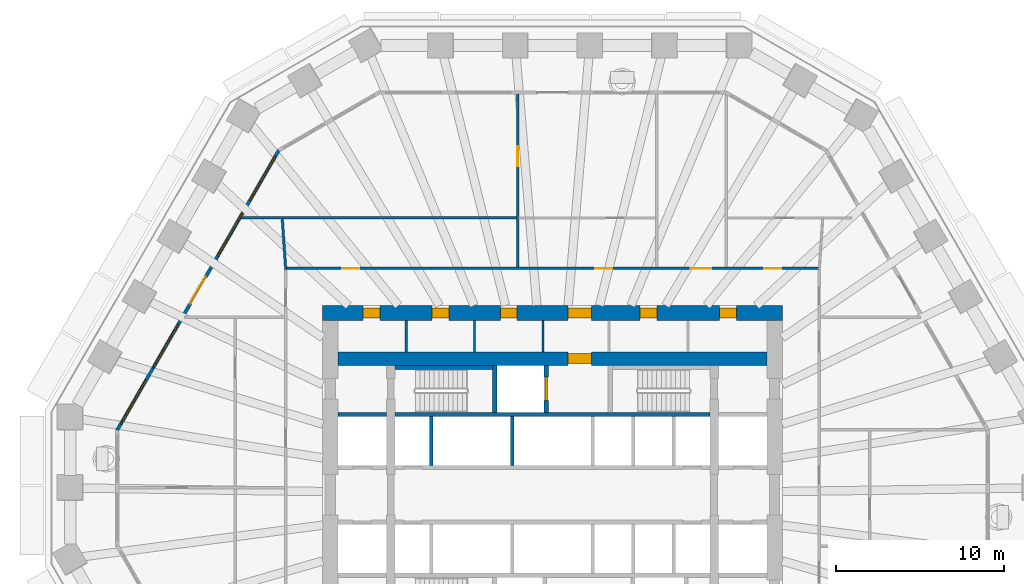
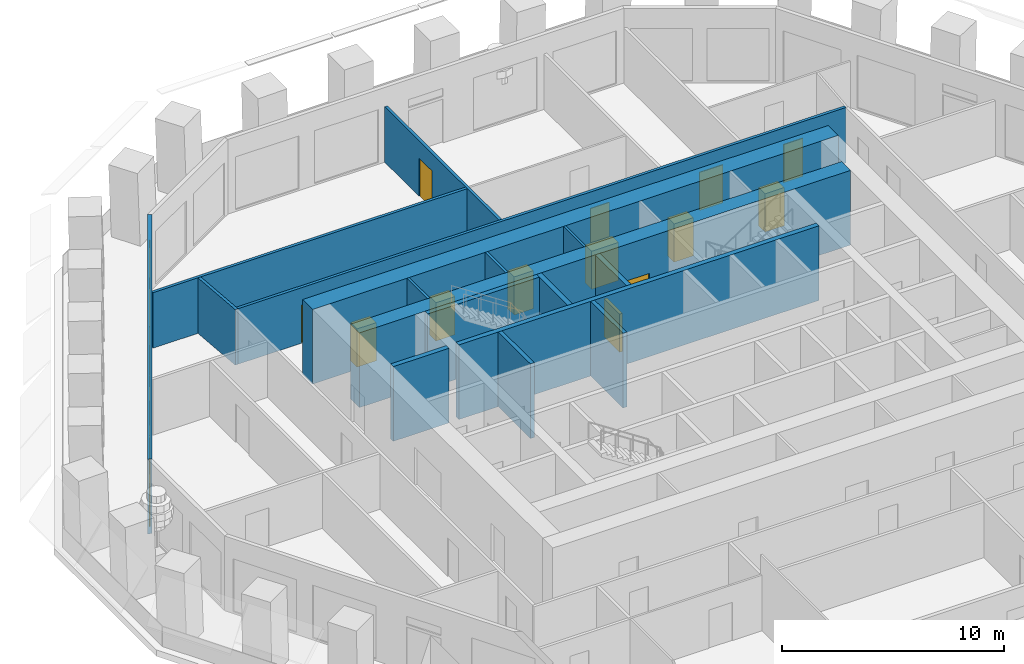
# One storey, part 7 of 13: 17 walls, 14 doors, 5 windows, 19 openings.
"""IFC4 building model written with IfcOpenShell, lengths in metres."""

from ifc_helpers import new_model, si_unit, direction, frame, frame_2d, origin, place, context, subcontext, project, spatial, polyline, rectangle, outline, extrude, material, layer, layer_set, type_object, element, fill, save


model = new_model("IFC4")

# Units and contexts
model_context = context("Model", 3, precision=1e-05, world=origin(), true_north=direction((0.0, 1.0)))
body_context = subcontext(model_context, "Body", "Model", "MODEL_VIEW")
ifc_project = project(units=[si_unit("LENGTHUNIT", "METRE"), si_unit("AREAUNIT", "SQUARE_METRE"), si_unit("VOLUMEUNIT", "CUBIC_METRE"), si_unit("PLANEANGLEUNIT", "RADIAN"), si_unit("MASSUNIT", "GRAM", prefix="KILO")], contexts=[model_context])

# Site, building, storey
site_placement = place(None, origin())
site = spatial("IfcSite", under=ifc_project, at=site_placement, CompositionType="ELEMENT")
building_placement = place(site_placement, origin())
building = spatial("IfcBuilding", under=site, at=building_placement, Name="Frailejon Research Tower", CompositionType="ELEMENT")
storey_placement = place(building_placement, frame((0.0, 0.0, 27.800048828125)))
storey = spatial("IfcBuildingStorey", under=building, at=storey_placement, Name="L06", CompositionType="ELEMENT", Elevation=27.800048828125)

# Walls
ifc_material_1 = material(Name="Plasterboard on steel studs", Category="steel")
ifc_layer_1 = layer(ifc_material_1, 0.125)
ifc_layer_set_1 = layer_set([ifc_layer_1], Name="Core partition 125")
wall_type_1 = type_object("IfcWallType", Name="Core partition 125", PredefinedType="PARTITIONING", material=ifc_layer_set_1)
for number, where, z_axis, x_axis, name in (
    (1, (-8.6875, 8.5, 0.0), (0.0, 0.0, 1.0), (0.0, 1.0, 0.0), "Core partition"),
    (2, (-4.625, 8.5, 0.0), (0.0, 0.0, 1.0), (0.0, 1.0, 0.0), "Core partition"),
    (3, (-0.5625, 8.5, 0.0), (0.0, 0.0, 1.0), (0.0, 1.0, 0.0), "Core partition"),
):
    element("IfcWall", number, at=place(storey_placement, frame(where, z_axis=z_axis, x_axis=x_axis)), inside=storey, type_object=wall_type_1, Name=name, PredefinedType="PARTITIONING", context=body_context, shape_type="SweptSolid", body=[
        extrude(rectangle(XDim=1.85009765625, YDim=0.125, at=frame_2d((0.925048828125, 0.0))), origin(), (0.0, 0.0, 1.0), 4.099853515625),
    ])

# Wall, opening, door
ifc_material_2 = material(Name="Concrete C70/85", Category="concrete")
ifc_layer_2 = layer(ifc_material_2, 0.800048828125)
ifc_layer_set_2 = layer_set([ifc_layer_2], Name="Core shear wall 800 C70/85")
wall_type_2 = type_object("IfcWallType", Name="Core shear wall 800 C70/85", PredefinedType="SHEAR", material=ifc_layer_set_2)
wall_1_placement = place(storey_placement, frame((-12.75, 8.10009765625, 0.0), z_axis=(0.0, 0.0, 1.0), x_axis=(1.0, 0.0, 0.0)))
wall_1 = element("IfcWall", 4, at=wall_1_placement, inside=storey, type_object=wall_type_2, Name="Core shear wall", PredefinedType="SHEAR", context=body_context, shape_type="SweptSolid", body=[
    extrude(rectangle(XDim=25.5, YDim=0.800048828125, at=frame_2d((12.75, 0.0))), origin(), (0.0, 0.0, 1.0), 4.099853515625),
])
opening_1_placement = place(wall_1_placement, frame((13.675048828125, 0.0, 0.0)))
opening_1 = element("IfcOpeningElement", 5, at=opening_1_placement, cuts=wall_1, Name="Opening D9", PredefinedType="OPENING", context=body_context, shape_type="SweptSolid", body=[
    extrude(rectangle(XDim=1.39990234375, YDim=2.10009765625, at=frame_2d((0.699951171875, 1.050048828125))), frame((0.0, 0.409912109375, 0.0), z_axis=(0.0, -1.0, 0.0), x_axis=(1.0, 0.0, 0.0)), (0.0, 0.0, 1.0), 0.820068359375),
])
ifc_material_3 = material(Name="Steel", Category="steel")
door_type_1 = type_object("IfcDoorType", Name="Goods lobby door", OperationType="DOUBLE_DOOR_SINGLE_SWING", PredefinedType="DOOR", material=ifc_material_3)
door_1_placement = place(opening_1_placement, origin())
door_1 = element("IfcDoor", 6, at=door_1_placement, inside=storey, type_object=door_type_1, Name="Goods lobby door", OperationType="DOUBLE_DOOR_SINGLE_SWING", OverallHeight=2.10009765625, OverallWidth=1.39990234375, PredefinedType="DOOR", context=body_context, shape_type="SweptSolid", body=[
    extrude(rectangle(XDim=1.39990234375, YDim=2.10009765625, at=frame_2d((0.699951171875, 1.050048828125))), frame((0.0, 0.300048828125, 0.0), z_axis=(0.0, -1.0, 0.0), x_axis=(1.0, 0.0, 0.0)), (0.0, 0.0, 1.0), 0.60009765625),
])
fill(opening_1, door_1)

# Wall, openings, doors
ifc_material_4 = material(Name="Concrete C70/85", Category="concrete")
ifc_layer_3 = layer(ifc_material_4, 0.89990234375)
ifc_layer_set_3 = layer_set([ifc_layer_3], Name="Core shear wall 900 C70/85")
wall_type_3 = type_object("IfcWallType", Name="Core shear wall 900 C70/85", PredefinedType="SHEAR", material=ifc_layer_set_3)
wall_2_placement = place(storey_placement, frame((-13.64990234375, 10.800048828125, 0.0), z_axis=(0.0, 0.0, 1.0), x_axis=(1.0, 0.0, 0.0)))
wall_2 = element("IfcWall", 7, at=wall_2_placement, inside=storey, type_object=wall_type_3, Name="Core shear wall", PredefinedType="SHEAR", context=body_context, shape_type="SweptSolid", body=[
    extrude(rectangle(XDim=27.2998046875, YDim=0.89990234375, at=frame_2d((13.64990234375, 0.0))), origin(), (0.0, 0.0, 1.0), 4.099853515625),
])
opening_2_placement = place(wall_2_placement, frame((2.39990234375, 0.0, 0.0)))
opening_2 = element("IfcOpeningElement", 8, at=opening_2_placement, cuts=wall_2, Name="Opening D4", PredefinedType="OPENING", context=body_context, shape_type="SweptSolid", body=[
    extrude(rectangle(XDim=1.0, YDim=2.10009765625, at=frame_2d((0.5, 1.050048828125))), frame((0.0, 0.4599609375, 0.0), z_axis=(0.0, -1.0, 0.0), x_axis=(1.0, 0.0, 0.0)), (0.0, 0.0, 1.0), 0.919921875),
])
opening_3_placement = place(wall_2_placement, frame((6.49365234375, 0.0, 0.0)))
opening_3 = element("IfcOpeningElement", 9, at=opening_3_placement, cuts=wall_2, Name="Opening D4", PredefinedType="OPENING", context=body_context, shape_type="SweptSolid", body=[
    extrude(rectangle(XDim=1.0, YDim=2.10009765625, at=frame_2d((0.5, 1.050048828125))), frame((0.0, 0.4599609375, 0.0), z_axis=(0.0, -1.0, 0.0), x_axis=(1.0, 0.0, 0.0)), (0.0, 0.0, 1.0), 0.919921875),
])
opening_4_placement = place(wall_2_placement, frame((10.55615234375, 0.0, 0.0)))
opening_4 = element("IfcOpeningElement", 10, at=opening_4_placement, cuts=wall_2, Name="Opening D4", PredefinedType="OPENING", context=body_context, shape_type="SweptSolid", body=[
    extrude(rectangle(XDim=1.0, YDim=2.10009765625, at=frame_2d((0.5, 1.050048828125))), frame((0.0, 0.4599609375, 0.0), z_axis=(0.0, -1.0, 0.0), x_axis=(1.0, 0.0, 0.0)), (0.0, 0.0, 1.0), 0.919921875),
])
opening_5_placement = place(wall_2_placement, frame((18.859375, 0.0, 0.0)))
opening_5 = element("IfcOpeningElement", 11, at=opening_5_placement, cuts=wall_2, Name="Opening D4", PredefinedType="OPENING", context=body_context, shape_type="SweptSolid", body=[
    extrude(rectangle(XDim=1.0, YDim=2.10009765625, at=frame_2d((0.5, 1.050048828125))), frame((0.0, 0.4599609375, 0.0), z_axis=(0.0, -1.0, 0.0), x_axis=(1.0, 0.0, 0.0)), (0.0, 0.0, 1.0), 0.919921875),
])
opening_6_placement = place(wall_2_placement, frame((23.58447265625, 0.0, 0.0)))
opening_6 = element("IfcOpeningElement", 12, at=opening_6_placement, cuts=wall_2, Name="Opening D4", PredefinedType="OPENING", context=body_context, shape_type="SweptSolid", body=[
    extrude(rectangle(XDim=1.0, YDim=2.10009765625, at=frame_2d((0.5, 1.050048828125))), frame((0.0, 0.4599609375, 0.0), z_axis=(0.0, -1.0, 0.0), x_axis=(1.0, 0.0, 0.0)), (0.0, 0.0, 1.0), 0.919921875),
])
opening_7_placement = place(wall_2_placement, frame((14.574951171875, 0.0, 0.0)))
opening_7 = element("IfcOpeningElement", 13, at=opening_7_placement, cuts=wall_2, Name="Opening D9", PredefinedType="OPENING", context=body_context, shape_type="SweptSolid", body=[
    extrude(rectangle(XDim=1.39990234375, YDim=2.10009765625, at=frame_2d((0.699951171875, 1.050048828125))), frame((0.0, 0.4599609375, 0.0), z_axis=(0.0, -1.0, 0.0), x_axis=(1.0, 0.0, 0.0)), (0.0, 0.0, 1.0), 0.919921875),
])
door_2_placement = place(opening_7_placement, origin())
door_2 = element("IfcDoor", 14, at=door_2_placement, inside=storey, type_object=door_type_1, Name="Passage door", OperationType="DOUBLE_DOOR_SINGLE_SWING", OverallHeight=2.10009765625, OverallWidth=1.39990234375, PredefinedType="DOOR", context=body_context, shape_type="SweptSolid", body=[
    extrude(rectangle(XDim=1.39990234375, YDim=2.10009765625, at=frame_2d((0.699951171875, 1.050048828125))), frame((0.0, 0.300048828125, 0.0), z_axis=(0.0, -1.0, 0.0), x_axis=(1.0, 0.0, 0.0)), (0.0, 0.0, 1.0), 0.60009765625),
])
fill(opening_7, door_2)
ifc_material_5 = material(Name="Steel", Category="steel")
door_type_2 = type_object("IfcDoorType", Name="Service door", OperationType="SINGLE_SWING_LEFT", PredefinedType="DOOR", material=ifc_material_5)
door_3_placement = place(opening_2_placement, origin())
door_3 = element("IfcDoor", 15, at=door_3_placement, inside=storey, type_object=door_type_2, Name="Room door", OperationType="SINGLE_SWING_LEFT", OverallHeight=2.10009765625, OverallWidth=1.0, PredefinedType="DOOR", context=body_context, shape_type="SweptSolid", body=[
    extrude(rectangle(XDim=1.0, YDim=2.10009765625, at=frame_2d((0.5, 1.050048828125))), frame((0.0, 0.300048828125, 0.0), z_axis=(0.0, -1.0, 0.0), x_axis=(1.0, 0.0, 0.0)), (0.0, 0.0, 1.0), 0.60009765625),
])
fill(opening_2, door_3)
door_4_placement = place(opening_3_placement, origin())
door_4 = element("IfcDoor", 16, at=door_4_placement, inside=storey, type_object=door_type_2, Name="Room door", OperationType="SINGLE_SWING_RIGHT", OverallHeight=2.10009765625, OverallWidth=1.0, PredefinedType="DOOR", context=body_context, shape_type="SweptSolid", body=[
    extrude(rectangle(XDim=1.0, YDim=2.10009765625, at=frame_2d((0.5, 1.050048828125))), frame((0.0, 0.300048828125, 0.0), z_axis=(0.0, -1.0, 0.0), x_axis=(1.0, 0.0, 0.0)), (0.0, 0.0, 1.0), 0.60009765625),
])
fill(opening_3, door_4)
door_5_placement = place(opening_4_placement, origin())
door_5 = element("IfcDoor", 17, at=door_5_placement, inside=storey, type_object=door_type_2, Name="Room door", OperationType="SINGLE_SWING_LEFT", OverallHeight=2.10009765625, OverallWidth=1.0, PredefinedType="DOOR", context=body_context, shape_type="SweptSolid", body=[
    extrude(rectangle(XDim=1.0, YDim=2.10009765625, at=frame_2d((0.5, 1.050048828125))), frame((0.0, 0.300048828125, 0.0), z_axis=(0.0, -1.0, 0.0), x_axis=(1.0, 0.0, 0.0)), (0.0, 0.0, 1.0), 0.60009765625),
])
fill(opening_4, door_5)
door_6_placement = place(opening_5_placement, origin())
door_6 = element("IfcDoor", 18, at=door_6_placement, inside=storey, type_object=door_type_2, Name="Room door", OperationType="SINGLE_SWING_RIGHT", OverallHeight=2.10009765625, OverallWidth=1.0, PredefinedType="DOOR", context=body_context, shape_type="SweptSolid", body=[
    extrude(rectangle(XDim=1.0, YDim=2.10009765625, at=frame_2d((0.5, 1.050048828125))), frame((0.0, 0.300048828125, 0.0), z_axis=(0.0, -1.0, 0.0), x_axis=(1.0, 0.0, 0.0)), (0.0, 0.0, 1.0), 0.60009765625),
])
fill(opening_5, door_6)
door_7_placement = place(opening_6_placement, origin())
door_7 = element("IfcDoor", 19, at=door_7_placement, inside=storey, type_object=door_type_2, Name="Room door", OperationType="SINGLE_SWING_LEFT", OverallHeight=2.10009765625, OverallWidth=1.0, PredefinedType="DOOR", context=body_context, shape_type="SweptSolid", body=[
    extrude(rectangle(XDim=1.0, YDim=2.10009765625, at=frame_2d((0.5, 1.050048828125))), frame((0.0, 0.300048828125, 0.0), z_axis=(0.0, -1.0, 0.0), x_axis=(1.0, 0.0, 0.0)), (0.0, 0.0, 1.0), 0.60009765625),
])
fill(opening_6, door_7)

ifc_material_6 = material(Name="Gypsum board and masonry partition", Category="masonry")
ifc_layer_4 = layer(ifc_material_6, 0.14990234375)
ifc_layer_set_4 = layer_set([ifc_layer_4], Name="Corridor wall EI 60, gypsum on steel studs 150")
wall_type_4 = type_object("IfcWallType", Name="Corridor wall EI 60, gypsum on steel studs 150", PredefinedType="PARTITIONING", material=ifc_layer_set_4)
wall_3_placement = place(storey_placement, frame((-15.77490234375, 13.449951171875, 0.0), z_axis=(0.0, 0.0, 1.0), x_axis=(1.0, 0.0, 0.0)))
wall_3 = element("IfcWall", 20, at=wall_3_placement, inside=storey, type_object=wall_type_4, Name="T:IW:L06:002", PredefinedType="PARTITIONING", context=body_context, shape_type="SweptSolid", body=[
    extrude(rectangle(XDim=31.574951171875, YDim=0.14990234375, at=frame_2d((15.78759765625, 0.0))), origin(), (0.0, 0.0, 1.0), 3.050048828125),
])
opening_8_placement = place(wall_3_placement, frame((28.36767578125, 0.0, 0.0)))
opening_8 = element("IfcOpeningElement", 21, at=opening_8_placement, cuts=wall_3, Name="Opening D1297", PredefinedType="OPENING", context=body_context, shape_type="SweptSolid", body=[
    extrude(rectangle(XDim=1.0, YDim=2.10009765625, at=frame_2d((0.5, 1.050048828125))), frame((0.0, 0.0849609375, 0.0), z_axis=(0.0, -1.0, 0.0), x_axis=(1.0, 0.0, 0.0)), (0.0, 0.0, 1.0), 0.169921875),
])
opening_9_placement = place(wall_3_placement, frame((24.001953125, 0.0, 0.0)))
opening_9 = element("IfcOpeningElement", 22, at=opening_9_placement, cuts=wall_3, Name="Opening D1299", PredefinedType="OPENING", context=body_context, shape_type="SweptSolid", body=[
    extrude(rectangle(XDim=1.199951171875, YDim=2.10009765625, at=frame_2d((0.60009765625, 1.050048828125))), frame((0.0, 0.0849609375, 0.0), z_axis=(0.0, -1.0, 0.0), x_axis=(1.0, 0.0, 0.0)), (0.0, 0.0, 1.0), 0.169921875),
])
opening_10_placement = place(wall_3_placement, frame((18.327392578125, 0.0, 0.0)))
opening_10 = element("IfcOpeningElement", 23, at=opening_10_placement, cuts=wall_3, Name="Opening D1300", PredefinedType="OPENING", context=body_context, shape_type="SweptSolid", body=[
    extrude(rectangle(XDim=1.0, YDim=2.10009765625, at=frame_2d((0.5, 1.050048828125))), frame((0.0, 0.0849609375, 0.0), z_axis=(0.0, -1.0, 0.0), x_axis=(1.0, 0.0, 0.0)), (0.0, 0.0, 1.0), 0.169921875),
])
opening_11_placement = place(wall_3_placement, frame((3.295654296875, 0.0, 0.0)))
opening_11 = element("IfcOpeningElement", 24, at=opening_11_placement, cuts=wall_3, Name="Opening D1303", PredefinedType="OPENING", context=body_context, shape_type="SweptSolid", body=[
    extrude(rectangle(XDim=1.0, YDim=2.10009765625, at=frame_2d((0.5, 1.050048828125))), frame((0.0, 0.0849609375, 0.0), z_axis=(0.0, -1.0, 0.0), x_axis=(1.0, 0.0, 0.0)), (0.0, 0.0, 1.0), 0.169921875),
])
ifc_material_7 = material(Name="Timber door leaf", Category="wood")
door_type_3 = type_object("IfcDoorType", Name="Door laboratory, timber, vision panel 1000", OperationType="NOTDEFINED", PredefinedType="DOOR", material=ifc_material_7)
door_8_placement = place(opening_11_placement, origin())
door_8 = element("IfcDoor", 25, at=door_8_placement, inside=storey, type_object=door_type_3, Name="D1303", OperationType="SINGLE_SWING_RIGHT", OverallHeight=2.10009765625, OverallWidth=1.0, PredefinedType="DOOR", context=body_context, shape_type="SweptSolid", body=[
    extrude(rectangle(XDim=1.0, YDim=2.10009765625, at=frame_2d((0.5, 1.050048828125))), frame((0.0, 0.02490234375, 0.0), z_axis=(0.0, -1.0, 0.0), x_axis=(1.0, 0.0, 0.0)), (0.0, 0.0, 1.0), 0.050048828125),
])
fill(opening_11, door_8)
ifc_material_8 = material(Name="Timber door leaf", Category="wood")
door_type_4 = type_object("IfcDoorType", Name="Door laboratory, timber, vision panel 1200", OperationType="NOTDEFINED", PredefinedType="DOOR", material=ifc_material_8)
door_9_placement = place(opening_9_placement, origin())
door_9 = element("IfcDoor", 26, at=door_9_placement, inside=storey, type_object=door_type_4, Name="D1299", OperationType="DOUBLE_DOOR_SINGLE_SWING", OverallHeight=2.10009765625, OverallWidth=1.199951171875, PredefinedType="DOOR", context=body_context, shape_type="SweptSolid", body=[
    extrude(rectangle(XDim=1.199951171875, YDim=2.10009765625, at=frame_2d((0.60009765625, 1.050048828125))), frame((0.0, 0.02490234375, 0.0), z_axis=(0.0, -1.0, 0.0), x_axis=(1.0, 0.0, 0.0)), (0.0, 0.0, 1.0), 0.050048828125),
])
fill(opening_9, door_9)
ifc_material_9 = material(Name="Timber door leaf", Category="wood")
door_type_5 = type_object("IfcDoorType", Name="Door single leaf, timber, steel frame 1000", OperationType="NOTDEFINED", PredefinedType="DOOR", material=ifc_material_9)
door_10_placement = place(opening_8_placement, origin())
door_10 = element("IfcDoor", 27, at=door_10_placement, inside=storey, type_object=door_type_5, Name="D1297", OperationType="SINGLE_SWING_RIGHT", OverallHeight=2.10009765625, OverallWidth=1.0, PredefinedType="DOOR", context=body_context, shape_type="SweptSolid", body=[
    extrude(rectangle(XDim=1.0, YDim=2.10009765625, at=frame_2d((0.5, 1.050048828125))), frame((0.0, 0.02490234375, 0.0), z_axis=(0.0, -1.0, 0.0), x_axis=(1.0, 0.0, 0.0)), (0.0, 0.0, 1.0), 0.050048828125),
])
fill(opening_8, door_10)
door_11_placement = place(opening_10_placement, origin())
door_11 = element("IfcDoor", 28, at=door_11_placement, inside=storey, type_object=door_type_5, Name="D1300", OperationType="SINGLE_SWING_RIGHT", OverallHeight=2.10009765625, OverallWidth=1.0, PredefinedType="DOOR", context=body_context, shape_type="SweptSolid", body=[
    extrude(rectangle(XDim=1.0, YDim=2.10009765625, at=frame_2d((0.5, 1.050048828125))), frame((0.0, 0.02490234375, 0.0), z_axis=(0.0, -1.0, 0.0), x_axis=(1.0, 0.0, 0.0)), (0.0, 0.0, 1.0), 0.050048828125),
])
fill(opening_10, door_11)

# Wall, opening, door
ifc_material_10 = material(Name="Gypsum board and masonry partition", Category="masonry")
ifc_layer_5 = layer(ifc_material_10, 0.14990234375)
ifc_layer_set_5 = layer_set([ifc_layer_5], Name="Laboratory partition, blockwork 150")
wall_type_5 = type_object("IfcWallType", Name="Laboratory partition, blockwork 150", PredefinedType="PARTITIONING", material=ifc_layer_set_5)
wall_4_placement = place(storey_placement, frame((-2.067138671875, 13.52490234375, 0.0), z_axis=(0.0, 0.0, 1.0), x_axis=(0.0, 1.0, 0.0)))
wall_4 = element("IfcWall", 29, at=wall_4_placement, inside=storey, type_object=wall_type_5, Name="T:IW:L06:012", PredefinedType="PARTITIONING", context=body_context, shape_type="SweptSolid", body=[
    extrude(rectangle(XDim=10.275146484375, YDim=0.14990234375, at=frame_2d((5.1376953125, 0.0))), origin(), (0.0, 0.0, 1.0), 3.050048828125),
])
opening_12_placement = place(wall_4_placement, frame((6.0, 0.0, 0.0)))
opening_12 = element("IfcOpeningElement", 30, at=opening_12_placement, cuts=wall_4, Name="Opening D1302", PredefinedType="OPENING", context=body_context, shape_type="SweptSolid", body=[
    extrude(rectangle(XDim=1.199951171875, YDim=2.10009765625, at=frame_2d((0.60009765625, 1.050048828125))), frame((0.0, 0.0849609375, 0.0), z_axis=(0.0, -1.0, 0.0), x_axis=(1.0, 0.0, 0.0)), (0.0, 0.0, 1.0), 0.169921875),
])
door_12_placement = place(opening_12_placement, origin())
door_12 = element("IfcDoor", 31, at=door_12_placement, inside=storey, type_object=door_type_4, Name="D1302", OperationType="DOUBLE_DOOR_SINGLE_SWING", OverallHeight=2.10009765625, OverallWidth=1.199951171875, PredefinedType="DOOR", context=body_context, shape_type="SweptSolid", body=[
    extrude(rectangle(XDim=1.199951171875, YDim=2.10009765625, at=frame_2d((0.60009765625, 1.050048828125))), frame((0.0, 0.02490234375, 0.0), z_axis=(0.0, -1.0, 0.0), x_axis=(1.0, 0.0, 0.0)), (0.0, 0.0, 1.0), 0.050048828125),
])
fill(opening_12, door_12)

# Walls
wall_5_placement = place(storey_placement, frame((-18.46337890625, 16.449951171875, 0.0), z_axis=(0.0, 0.0, 1.0), x_axis=(1.0, 0.0, 0.0)))
element("IfcWall", 32, at=wall_5_placement, inside=storey, type_object=wall_type_5, Name="T:IW:L06:013", PredefinedType="PARTITIONING", context=body_context, shape_type="SweptSolid", body=[
    extrude(rectangle(XDim=16.3212890625, YDim=0.14990234375, at=frame_2d((8.16064453125, 0.0))), origin(), (0.0, 0.0, 1.0), 3.050048828125),
])
wall_6_placement = place(storey_placement, frame((-16.05029296875, 16.375244140625, 0.0), z_axis=(0.0, 0.0, 1.0), x_axis=(0.068281023209, -0.997666127454, 0.0)))
element("IfcWall", 33, at=wall_6_placement, inside=storey, type_object=wall_type_5, Name="T:IW:L06:014", PredefinedType="PARTITIONING", context=body_context, shape_type="SweptSolid", body=[
    extrude(rectangle(XDim=3.007080078125, YDim=0.14990234375, at=frame_2d((1.50341796875, 0.0))), origin(), (0.0, 0.0, 1.0), 3.050048828125),
])
ifc_material_11 = material(Name="Concrete C70/85", Category="concrete")
ifc_layer_6 = layer(ifc_material_11, 0.199951171875)
ifc_layer_set_6 = layer_set([ifc_layer_6], Name="Shaft wall 200 C70/85")
wall_type_6 = type_object("IfcWallType", Name="Shaft wall 200 C70/85", PredefinedType="SOLIDWALL", material=ifc_layer_set_6)
for number, where, z_axis, x_axis, name in (
    (34, (-7.199951171875, 1.75, 0.0), (0.0, 0.0, 1.0), (0.0, 1.0, 0.0), "Shaft wall"),
    (35, (-2.39990234375, 1.75, 0.0), (0.0, 0.0, 1.0), (0.0, 1.0, 0.0), "Shaft wall"),
):
    element("IfcWall", number, at=place(storey_placement, frame(where, z_axis=z_axis, x_axis=x_axis)), inside=storey, type_object=wall_type_6, Name=name, PredefinedType="SOLIDWALL", context=body_context, shape_type="SweptSolid", body=[
        extrude(rectangle(XDim=2.89990234375, YDim=0.199951171875, at=frame_2d((1.449951171875, 0.0))), origin(), (0.0, 0.0, 1.0), 4.099853515625),
    ])
ifc_material_12 = material(Name="Concrete C70/85", Category="concrete")
ifc_layer_7 = layer(ifc_material_12, 0.25)
ifc_layer_set_7 = layer_set([ifc_layer_7], Name="Shaft wall 250 C70/85")
wall_type_7 = type_object("IfcWallType", Name="Shaft wall 250 C70/85", PredefinedType="SOLIDWALL", material=ifc_layer_set_7)
wall_7_placement = place(storey_placement, frame((-12.75, 4.77490234375, 0.0), z_axis=(0.0, 0.0, 1.0), x_axis=(1.0, 0.0, 0.0)))
element("IfcWall", 36, at=wall_7_placement, inside=storey, type_object=wall_type_7, Name="Shaft wall", PredefinedType="SOLIDWALL", context=body_context, shape_type="SweptSolid", body=[
    extrude(rectangle(XDim=2.89990234375, YDim=0.25, at=frame_2d((1.449951171875, 0.0))), origin(), (0.0, 0.0, 1.0), 4.099853515625),
])
wall_8_placement = place(storey_placement, frame((-9.35009765625, 4.77490234375, 0.0), z_axis=(0.0, 0.0, 1.0), x_axis=(1.0, 0.0, 0.0)))
element("IfcWall", 37, at=wall_8_placement, inside=storey, type_object=wall_type_7, Name="Shaft wall", PredefinedType="SOLIDWALL", context=body_context, shape_type="SweptSolid", body=[
    extrude(rectangle(XDim=18.7001953125, YDim=0.25, at=frame_2d((9.35009765625, 0.0))), origin(), (0.0, 0.0, 1.0), 4.099853515625),
])
wall_9_placement = place(storey_placement, frame((-9.35009765625, 7.574951171875, 0.0), z_axis=(0.0, 0.0, 1.0), x_axis=(1.0, 0.0, 0.0)))
element("IfcWall", 38, at=wall_9_placement, inside=storey, type_object=wall_type_7, Name="Shaft wall", PredefinedType="SOLIDWALL", context=body_context, shape_type="SweptSolid", body=[
    extrude(rectangle(XDim=5.800048828125, YDim=0.25, at=frame_2d((2.89990234375, 0.0))), origin(), (0.0, 0.0, 1.0), 4.099853515625),
])
wall_10_placement = place(storey_placement, frame((-3.425048828125, 4.89990234375, 0.0), z_axis=(0.0, 0.0, 1.0), x_axis=(0.0, 1.0, 0.0)))
element("IfcWall", 39, at=wall_10_placement, inside=storey, type_object=wall_type_7, Name="Shaft wall", PredefinedType="SOLIDWALL", context=body_context, shape_type="SweptSolid", body=[
    extrude(rectangle(XDim=2.800048828125, YDim=0.25, at=frame_2d((1.39990234375, 0.0))), origin(), (0.0, 0.0, 1.0), 4.099853515625),
])

# Wall, opening, door
wall_11_placement = place(storey_placement, frame((-0.375, 4.89990234375, 0.0), z_axis=(0.0, 0.0, 1.0), x_axis=(0.0, 1.0, 0.0)))
wall_11 = element("IfcWall", 40, at=wall_11_placement, inside=storey, type_object=wall_type_7, Name="Shaft wall", PredefinedType="SOLIDWALL", context=body_context, shape_type="SweptSolid", body=[
    extrude(rectangle(XDim=2.800048828125, YDim=0.25, at=frame_2d((1.39990234375, 0.0))), origin(), (0.0, 0.0, 1.0), 4.099853515625),
])
opening_13_placement = place(wall_11_placement, frame((0.699951171875, 0.0, 0.0)))
opening_13 = element("IfcOpeningElement", 41, at=opening_13_placement, cuts=wall_11, Name="Opening LD2", PredefinedType="OPENING", context=body_context, shape_type="SweptSolid", body=[
    extrude(rectangle(XDim=1.39990234375, YDim=2.10009765625, at=frame_2d((0.699951171875, 1.050048828125))), frame((0.0, 0.135009765625, 0.0), z_axis=(0.0, -1.0, 0.0), x_axis=(1.0, 0.0, 0.0)), (0.0, 0.0, 1.0), 0.27001953125),
])
ifc_material_13 = material(Name="Stainless steel", Category="steel")
door_type_6 = type_object("IfcDoorType", Name="Goods landing door", OperationType="DOUBLE_DOOR_SLIDING", PredefinedType="DOOR", material=ifc_material_13)
door_13_placement = place(opening_13_placement, origin())
door_13 = element("IfcDoor", 42, at=door_13_placement, inside=storey, type_object=door_type_6, Name="Lift landing door", OperationType="DOUBLE_DOOR_SLIDING", OverallHeight=2.10009765625, OverallWidth=1.39990234375, PredefinedType="DOOR", context=body_context, shape_type="SweptSolid", body=[
    extrude(rectangle(XDim=1.39990234375, YDim=2.10009765625, at=frame_2d((0.699951171875, 1.050048828125))), frame((0.0, 0.074951171875, 0.0), z_axis=(0.0, -1.0, 0.0), x_axis=(1.0, 0.0, 0.0)), (0.0, 0.0, 1.0), 0.14990234375),
])
fill(opening_13, door_13)

# Wall, openings, door, windows
ifc_material_14 = material(Name="Concrete C40/50 precast window wall panel", Category="concrete")
ifc_layer_8 = layer(ifc_material_14, 0.199951171875)
ifc_layer_set_8 = layer_set([ifc_layer_8], Name="Window wall 200")
wall_type_8 = type_object("IfcWallType", Name="Window wall 200", PredefinedType="SOLIDWALL", material=ifc_layer_set_8)
wall_12_placement = place(storey_placement, frame((-16.26220703125, 20.462646484375, 0.0), z_axis=(0.0, 0.0, 1.0), x_axis=(-0.499998279088, -0.866026397351, 0.0)))
wall_12 = element("IfcWall", 43, at=wall_12_placement, inside=storey, type_object=wall_type_8, Name="Exterior wall L06", PredefinedType="SOLIDWALL", context=body_context, shape_type="SweptSolid", body=[
    extrude(outline(polyline([(-0.02685546875, -0.10009765625), (0.9853515625, -0.10009765625), (1.997802734375, -0.10009765625), (3.010009765625, -0.10009765625), (4.0224609375, -0.10009765625), (5.03466796875, -0.10009765625), (6.047119140625, -0.10009765625), (7.059326171875, -0.10009765625), (8.071533203125, -0.10009765625), (9.083984375, -0.10009765625), (10.09619140625, -0.10009765625), (11.108642578125, -0.10009765625), (12.120849609375, -0.10009765625), (13.133056640625, -0.10009765625), (14.1455078125, -0.10009765625), (15.15771484375, -0.10009765625), (16.170166015625, -0.10009765625), (17.182373046875, -0.10009765625), (18.19482421875, -0.10009765625), (19.20703125, -0.10009765625), (19.1533203125, 0.10009765625), (18.146728515625, 0.10009765625), (17.139892578125, 0.10009765625), (16.13330078125, 0.10009765625), (15.126708984375, 0.10009765625), (14.1201171875, 0.10009765625), (13.11328125, 0.10009765625), (12.106689453125, 0.10009765625), (11.10009765625, 0.10009765625), (10.093505859375, 0.10009765625), (9.086669921875, 0.10009765625), (8.080078125, 0.10009765625), (7.073486328125, 0.10009765625), (6.06689453125, 0.10009765625), (5.06005859375, 0.10009765625), (4.053466796875, 0.10009765625), (3.046875, 0.10009765625), (2.040283203125, 0.10009765625), (1.033447265625, 0.10009765625), (0.02685546875, 0.10009765625), (-0.02685546875, -0.10009765625)])), origin(), (0.0, 0.0, 1.0), 4.099853515625),
])
opening_14_placement = place(wall_12_placement, frame((0.41796875, 0.0, 0.10009765625)))
opening_14 = element("IfcOpeningElement", 44, at=opening_14_placement, cuts=wall_12, Name="Opening W4", PredefinedType="OPENING", context=body_context, shape_type="SweptSolid", body=[
    extrude(rectangle(XDim=3.0, YDim=2.89990234375, at=frame_2d((1.5, 1.449951171875))), frame((0.0, 0.10986328125, 0.0), z_axis=(0.0, -1.0, 0.0), x_axis=(1.0, 0.0, 0.0)), (0.0, 0.0, 1.0), 0.219970703125),
])
opening_15_placement = place(wall_12_placement, frame((4.254150390625, 0.0, 0.10009765625)))
opening_15 = element("IfcOpeningElement", 45, at=opening_15_placement, cuts=wall_12, Name="Opening W4", PredefinedType="OPENING", context=body_context, shape_type="SweptSolid", body=[
    extrude(rectangle(XDim=3.0, YDim=2.89990234375, at=frame_2d((1.5, 1.449951171875))), frame((0.0, 0.10986328125, 0.0), z_axis=(0.0, -1.0, 0.0), x_axis=(1.0, 0.0, 0.0)), (0.0, 0.0, 1.0), 0.219970703125),
])
opening_16_placement = place(wall_12_placement, frame((8.690185546875, 0.0, 0.0)))
opening_16 = element("IfcOpeningElement", 46, at=opening_16_placement, cuts=wall_12, Name="Opening LG06-3", PredefinedType="OPENING", context=body_context, shape_type="SweptSolid", body=[
    extrude(rectangle(XDim=1.800048828125, YDim=2.39990234375, at=frame_2d((0.89990234375, 1.199951171875))), frame((0.0, 0.10986328125, 0.0), z_axis=(0.0, -1.0, 0.0), x_axis=(1.0, 0.0, 0.0)), (0.0, 0.0, 1.0), 0.219970703125),
])
opening_17_placement = place(wall_12_placement, frame((8.690185546875, 0.0, 2.550048828125)))
opening_17 = element("IfcOpeningElement", 47, at=opening_17_placement, cuts=wall_12, Name="Opening W1", PredefinedType="OPENING", context=body_context, shape_type="SweptSolid", body=[
    extrude(rectangle(XDim=1.800048828125, YDim=0.449951171875, at=frame_2d((0.89990234375, 0.22509765625))), frame((0.0, 0.10986328125, 0.0), z_axis=(0.0, -1.0, 0.0), x_axis=(1.0, 0.0, 0.0)), (0.0, 0.0, 1.0), 0.219970703125),
])
opening_18_placement = place(wall_12_placement, frame((11.92626953125, 0.0, 0.10009765625)))
opening_18 = element("IfcOpeningElement", 48, at=opening_18_placement, cuts=wall_12, Name="Opening W4", PredefinedType="OPENING", context=body_context, shape_type="SweptSolid", body=[
    extrude(rectangle(XDim=3.0, YDim=2.89990234375, at=frame_2d((1.5, 1.449951171875))), frame((0.0, 0.10986328125, 0.0), z_axis=(0.0, -1.0, 0.0), x_axis=(1.0, 0.0, 0.0)), (0.0, 0.0, 1.0), 0.219970703125),
])
opening_19_placement = place(wall_12_placement, frame((15.76220703125, 0.0, 0.10009765625)))
opening_19 = element("IfcOpeningElement", 49, at=opening_19_placement, cuts=wall_12, Name="Opening W4", PredefinedType="OPENING", context=body_context, shape_type="SweptSolid", body=[
    extrude(rectangle(XDim=3.0, YDim=2.89990234375, at=frame_2d((1.5, 1.449951171875))), frame((0.0, 0.10986328125, 0.0), z_axis=(0.0, -1.0, 0.0), x_axis=(1.0, 0.0, 0.0)), (0.0, 0.0, 1.0), 0.219970703125),
])
ifc_material_15 = material(Name="Aluminium framed glazed door leaf", Category="aluminium")
door_type_7 = type_object("IfcDoorType", Name="Loggia door 1800x2400", OperationType="DOUBLE_DOOR_SINGLE_SWING", PredefinedType="DOOR", material=ifc_material_15)
door_14_placement = place(opening_16_placement, origin())
door_14 = element("IfcDoor", 50, at=door_14_placement, inside=storey, type_object=door_type_7, Name="Door LG06-3", OperationType="DOUBLE_DOOR_SINGLE_SWING", OverallHeight=2.39990234375, OverallWidth=1.800048828125, PredefinedType="DOOR", context=body_context, shape_type="SweptSolid", body=[
    extrude(rectangle(XDim=1.800048828125, YDim=2.39990234375, at=frame_2d((0.89990234375, 1.199951171875))), frame((0.0, 0.02490234375, 0.0), z_axis=(0.0, -1.0, 0.0), x_axis=(1.0, 0.0, 0.0)), (0.0, 0.0, 1.0), 0.050048828125),
])
fill(opening_16, door_14)
ifc_material_16 = material(Name="Aluminium framed double glazing", Category="aluminium")
window_type_1 = type_object("IfcWindowType", Name="Window 1800x450", PartitioningType="SINGLE_PANEL", PredefinedType="WINDOW", material=ifc_material_16)
window_1_placement = place(opening_17_placement, origin())
window_1 = element("IfcWindow", 51, at=window_1_placement, inside=storey, type_object=window_type_1, Name="Window L06", OverallHeight=0.449951171875, OverallWidth=1.800048828125, PartitioningType="SINGLE_PANEL", PredefinedType="WINDOW", context=body_context, shape_type="SweptSolid", body=[
    extrude(rectangle(XDim=1.800048828125, YDim=0.449951171875, at=frame_2d((0.89990234375, 0.22509765625))), frame((0.0, 0.030029296875, 0.0), z_axis=(0.0, -1.0, 0.0), x_axis=(1.0, 0.0, 0.0)), (0.0, 0.0, 1.0), 0.06005859375),
])
fill(opening_17, window_1)
ifc_material_17 = material(Name="Aluminium framed double glazing", Category="aluminium")
window_type_2 = type_object("IfcWindowType", Name="Window 3000x2900", PartitioningType="SINGLE_PANEL", PredefinedType="WINDOW", material=ifc_material_17)
window_2_placement = place(opening_14_placement, origin())
window_2 = element("IfcWindow", 52, at=window_2_placement, inside=storey, type_object=window_type_2, Name="Window L06", OverallHeight=2.89990234375, OverallWidth=3.0, PartitioningType="SINGLE_PANEL", PredefinedType="WINDOW", context=body_context, shape_type="SweptSolid", body=[
    extrude(rectangle(XDim=3.0, YDim=2.89990234375, at=frame_2d((1.5, 1.449951171875))), frame((0.0, 0.030029296875, 0.0), z_axis=(0.0, -1.0, 0.0), x_axis=(1.0, 0.0, 0.0)), (0.0, 0.0, 1.0), 0.06005859375),
])
fill(opening_14, window_2)
window_3_placement = place(opening_15_placement, origin())
window_3 = element("IfcWindow", 53, at=window_3_placement, inside=storey, type_object=window_type_2, Name="Window L06", OverallHeight=2.89990234375, OverallWidth=3.0, PartitioningType="SINGLE_PANEL", PredefinedType="WINDOW", context=body_context, shape_type="SweptSolid", body=[
    extrude(rectangle(XDim=3.0, YDim=2.89990234375, at=frame_2d((1.5, 1.449951171875))), frame((0.0, 0.030029296875, 0.0), z_axis=(0.0, -1.0, 0.0), x_axis=(1.0, 0.0, 0.0)), (0.0, 0.0, 1.0), 0.06005859375),
])
fill(opening_15, window_3)
window_4_placement = place(opening_18_placement, origin())
window_4 = element("IfcWindow", 54, at=window_4_placement, inside=storey, type_object=window_type_2, Name="Window L06", OverallHeight=2.89990234375, OverallWidth=3.0, PartitioningType="SINGLE_PANEL", PredefinedType="WINDOW", context=body_context, shape_type="SweptSolid", body=[
    extrude(rectangle(XDim=3.0, YDim=2.89990234375, at=frame_2d((1.5, 1.449951171875))), frame((0.0, 0.030029296875, 0.0), z_axis=(0.0, -1.0, 0.0), x_axis=(1.0, 0.0, 0.0)), (0.0, 0.0, 1.0), 0.06005859375),
])
fill(opening_18, window_4)
window_5_placement = place(opening_19_placement, origin())
window_5 = element("IfcWindow", 55, at=window_5_placement, inside=storey, type_object=window_type_2, Name="Window L06", OverallHeight=2.89990234375, OverallWidth=3.0, PartitioningType="SINGLE_PANEL", PredefinedType="WINDOW", context=body_context, shape_type="SweptSolid", body=[
    extrude(rectangle(XDim=3.0, YDim=2.89990234375, at=frame_2d((1.5, 1.449951171875))), frame((0.0, 0.030029296875, 0.0), z_axis=(0.0, -1.0, 0.0), x_axis=(1.0, 0.0, 0.0)), (0.0, 0.0, 1.0), 0.06005859375),
])
fill(opening_19, window_5)

save(model, "model.ifc")
